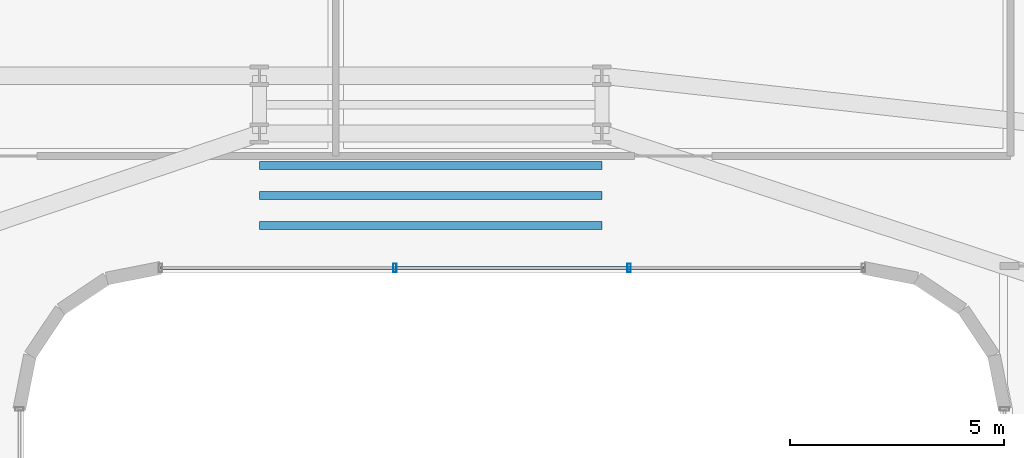
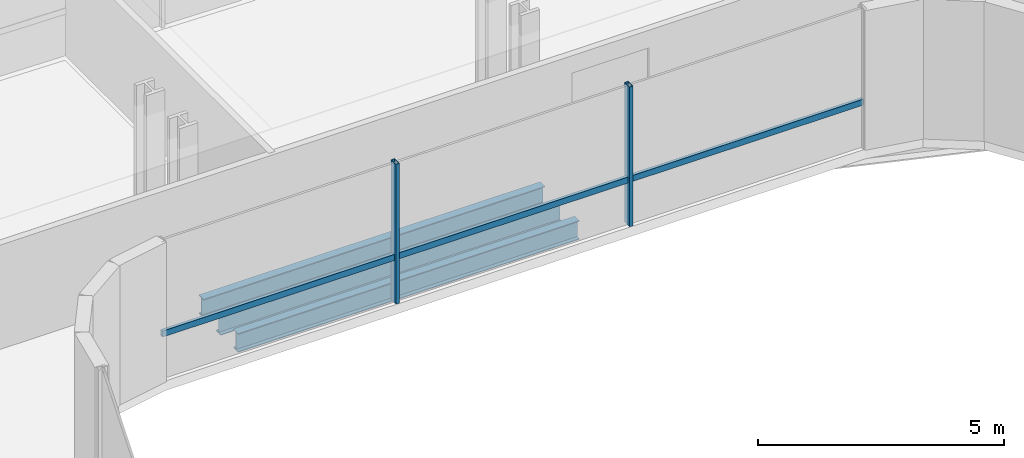
# One storey, part 15 of 40: 3 beams, 3 members, 1 element without a shape of its own.
"""IFC4 building model written with IfcOpenShell, lengths in metres."""

import ifcopenshell
import ifcopenshell.guid

model = None  # the IFC model being written
_history = None  # IfcOwnerHistory: only IFC2X3 demands one
_inside = {}  # id of a spatial element -> (the spatial element, [elements in it])
_under = {}  # id of a project, library or spatial element -> (it, [spatial elements below it])
_declared = {}  # id of a project -> (the project, [libraries it declares])
_typed = {}  # id of a type object -> (the type object, [elements of that type])
_made_of = {}  # id of a material, layer set ... -> (it, [elements and type objects made of it])


def new_model(schema):
    """Start an empty IFC model of exactly this schema.

    Asked for "IFC4X3", IfcOpenShell would pick the latest addendum, in which some entities
    have other attributes; the version numbers below select the first issue.
    IFC2X3 requires an IfcOwnerHistory on every rooted entity: one is made here for all.
    """
    global model, _history
    if schema == "IFC4X3":
        model = ifcopenshell.file(schema_version=(4, 3, 0, 0))
    else:
        model = ifcopenshell.file(schema=schema)
    _inside.clear()
    _under.clear()
    _declared.clear()
    _typed.clear()
    _made_of.clear()
    _history = None
    if model.schema == "IFC2X3":
        org = make("IfcOrganization", Name="unknown")
        user = make(
            "IfcPersonAndOrganization",
            ThePerson=make("IfcPerson", FamilyName="unknown"),
            TheOrganization=org,
        )
        app = make(
            "IfcApplication",
            ApplicationDeveloper=org,
            Version="unknown",
            ApplicationFullName="unknown",
            ApplicationIdentifier="unknown",
        )
        _history = make(
            "IfcOwnerHistory",
            OwningUser=user,
            OwningApplication=app,
            ChangeAction="ADDED",
            CreationDate=0,
        )
    return model


def make(cls, **values):
    """One entity of the class cls with the attributes given. An attribute that is None is left unset."""
    return model.create_entity(
        cls, **{name: value for name, value in values.items() if value is not None}
    )


def rooted(cls, **values):
    """An entity with a GlobalId (a new one), such as an element, a storey or a relation."""
    return make(cls, GlobalId=ifcopenshell.guid.new(), OwnerHistory=_history, **values)


def si_unit(unit_type, name, prefix=None):
    """IfcSIUnit, for example si_unit("LENGTHUNIT", "METRE", prefix="MILLI")."""
    return make("IfcSIUnit", UnitType=unit_type, Prefix=prefix, Name=name)


def assignment(units):
    """IfcUnitAssignment: the units of a project."""
    return None if units is None else make("IfcUnitAssignment", Units=units)


def point(xyz):
    """IfcCartesianPoint."""
    return None if xyz is None else make("IfcCartesianPoint", Coordinates=xyz)


def direction(xyz):
    """IfcDirection."""
    return None if xyz is None else make("IfcDirection", DirectionRatios=xyz)


def frame(location, z_axis=None, x_axis=None):
    """IfcAxis2Placement3D, a coordinate frame: its origin and axes. An axis left out is left unset."""
    return make(
        "IfcAxis2Placement3D",
        Location=point(location),
        Axis=direction(z_axis),
        RefDirection=direction(x_axis),
    )


def frame_2d(location, x_axis=None):
    """IfcAxis2Placement2D, a coordinate frame in the plane: its origin and x axis."""
    return make(
        "IfcAxis2Placement2D", Location=point(location), RefDirection=direction(x_axis)
    )


def origin():
    """The frame at (0, 0, 0) with its axes left unset."""
    return frame((0.0, 0.0, 0.0))


def origin_2d():
    """The frame at (0, 0) in the plane with its x axis left unset."""
    return frame_2d((0.0, 0.0))


def place(relative_to, where):
    """IfcLocalPlacement: puts the frame where relative to a parent placement (None: the world)."""
    return make(
        "IfcLocalPlacement", PlacementRelTo=relative_to, RelativePlacement=where
    )


def context(
    kind, dimensions, precision=None, world=None, true_north=None, identifier=None
):
    """IfcGeometricRepresentationContext, for example the 3D "Model" context."""
    return make(
        "IfcGeometricRepresentationContext",
        ContextIdentifier=identifier,
        ContextType=kind,
        CoordinateSpaceDimension=dimensions,
        Precision=precision,
        WorldCoordinateSystem=world,
        TrueNorth=true_north,
    )


def subcontext(parent, identifier, kind, view, scale=None):
    """IfcGeometricRepresentationSubContext, for example "Body" below "Model"."""
    return make(
        "IfcGeometricRepresentationSubContext",
        ContextIdentifier=identifier,
        ContextType=kind,
        ParentContext=parent,
        TargetScale=scale,
        TargetView=view,
    )


def project(units=None, contexts=None):
    """IfcProject with its units and contexts."""
    return rooted(
        "IfcProject",
        Name="project",
        RepresentationContexts=contexts,
        UnitsInContext=assignment(units),
    )


def spatial(cls, under=None, at=None, **own):
    """A site, building, storey or space (cls), placed at a placement, below another one or the project."""
    s = rooted(cls, ObjectPlacement=at, **own)
    if under is not None:
        _under.setdefault(under.id(), (under, []))[1].append(s)
    return s


def profile(cls, at=None, kind="AREA", **sizes):
    """A parametric profile (cls). Its sizes go by their IFC names, for example OverallWidth=200.0."""
    return make(cls, ProfileType=kind, Position=at, **sizes)


def hollow_rectangle(**sizes):
    """IfcRectangleHollowProfileDef."""
    return profile("IfcRectangleHollowProfileDef", **sizes)


def i_section(**sizes):
    """IfcIShapeProfileDef."""
    return profile("IfcIShapeProfileDef", **sizes)


def extrude(swept, where, along, depth):
    """IfcExtrudedAreaSolid: the profile swept, set in the frame where, extruded along a direction by depth."""
    return make(
        "IfcExtrudedAreaSolid",
        SweptArea=swept,
        Position=where,
        ExtrudedDirection=direction(along),
        Depth=depth,
    )


def shape(context_of_items, identifier, shape_type, items):
    """IfcShapeRepresentation: the items that make up one representation, for example the "Body"."""
    return make(
        "IfcShapeRepresentation",
        ContextOfItems=context_of_items,
        RepresentationIdentifier=identifier,
        RepresentationType=shape_type,
        Items=items,
    )


def source(mapping_origin, context_of_items, identifier, shape_type, items):
    """IfcRepresentationMap: a shape defined once, which mapped items show again and again."""
    return make(
        "IfcRepresentationMap",
        MappingOrigin=mapping_origin,
        MappedRepresentation=shape(context_of_items, identifier, shape_type, items),
    )


def transform(
    local_origin,
    x_axis=None,
    y_axis=None,
    z_axis=None,
    scale=None,
    scale2=None,
    scale3=None,
    uniform=True,
):
    """IfcCartesianTransformationOperator3D, or its non-uniform kind. x_axis, y_axis, z_axis: its Axis1, 2, 3."""
    if uniform:
        return make(
            "IfcCartesianTransformationOperator3D",
            Axis1=direction(x_axis),
            Axis2=direction(y_axis),
            LocalOrigin=point(local_origin),
            Scale=scale,
            Axis3=direction(z_axis),
        )
    return make(
        "IfcCartesianTransformationOperator3DnonUniform",
        Axis1=direction(x_axis),
        Axis2=direction(y_axis),
        LocalOrigin=point(local_origin),
        Scale=scale,
        Axis3=direction(z_axis),
        Scale2=scale2,
        Scale3=scale3,
    )


def mapped(mapping_source, mapping_target):
    """IfcMappedItem: shows the shape of a source again, moved by a transform."""
    return make(
        "IfcMappedItem", MappingSource=mapping_source, MappingTarget=mapping_target
    )


def material(Name=None, Category=None):
    """IfcMaterial."""
    return make("IfcMaterial", Name=Name, Category=Category)


def material_profile(
    of_material, cross_section, Name=None, Category=None, Priority=None
):
    """IfcMaterialProfile: a cross section and its material."""
    return make(
        "IfcMaterialProfile",
        Name=Name,
        Material=of_material,
        Profile=cross_section,
        Priority=Priority,
        Category=Category,
    )


def profile_set(profiles, Name=None, composite=None):
    """IfcMaterialProfileSet."""
    return make(
        "IfcMaterialProfileSet",
        Name=Name,
        MaterialProfiles=profiles,
        CompositeProfile=composite,
    )


def made_of(thing, what):
    """Note that an element or type object is made of a material, layer set ...; save() writes the relation."""
    if what is not None:
        _made_of.setdefault(what.id(), (what, []))[1].append(thing)
    return thing


def type_object(cls, material=None, **own):
    """A type object (cls), such as IfcWallType, which elements share."""
    return made_of(rooted(cls, **own), material)


def element(
    cls,
    number,
    at=None,
    inside=None,
    cuts=None,
    type_object=None,
    material=None,
    context=None,
    identifier="Body",
    shape_type=None,
    held_by="IfcProductDefinitionShape",
    body=None,
    shapes=None,
    **own,
):
    """One element of the class cls, such as IfcWall. Its Tag is "e" and its number.

    at: its placement. inside: the storey or other place that contains it. cuts: it is an
    opening in that element (IfcRelVoidsElement). A single representation is given by context,
    identifier, shape_type and body (its items); several are given by shapes. held_by: the class
    of the entity that holds the representations. save() writes the other relations.
    """
    e = rooted(cls, Tag="e%d" % number, ObjectPlacement=at, **own)
    if body is not None:
        shapes = [shape(context, identifier, shape_type, body)]
    if shapes is not None:
        e.Representation = make(held_by, Representations=shapes)
    if inside is not None:
        _inside.setdefault(inside.id(), (inside, []))[1].append(e)
    if cuts is not None:
        rooted(
            "IfcRelVoidsElement", RelatingBuildingElement=cuts, RelatedOpeningElement=e
        )
    if type_object is not None:
        _typed.setdefault(type_object.id(), (type_object, []))[1].append(e)
    return made_of(e, material)


def aggregate(whole, parts):
    """IfcRelAggregates: a whole, such as a stair, and the parts it consists of."""
    return rooted("IfcRelAggregates", RelatingObject=whole, RelatedObjects=parts)


def save(model, path):
    """Write the relations noted so far, then the file.

    IfcRelAggregates (storeys below a building ...), IfcRelContainedInSpatialStructure (elements
    in a storey), IfcRelDefinesByType, IfcRelAssociatesMaterial and IfcRelDeclares: one each for
    every whole, place, type object, material and project.
    """
    for whole, parts in _under.values():
        aggregate(whole, parts)
    for where, things in _inside.values():
        rooted(
            "IfcRelContainedInSpatialStructure",
            RelatedElements=things,
            RelatingStructure=where,
        )
    for kind, things in _typed.values():
        rooted("IfcRelDefinesByType", RelatedObjects=things, RelatingType=kind)
    for what, things in _made_of.values():
        rooted("IfcRelAssociatesMaterial", RelatedObjects=things, RelatingMaterial=what)
    for by, libraries in _declared.values():
        rooted("IfcRelDeclares", RelatingContext=by, RelatedDefinitions=libraries)
    model.write(path)


model = new_model("IFC4")

# Units and contexts
model_context = context("Model", 3, precision=1e-05, world=origin(), true_north=direction((0.0, 1.0)))
body_context = subcontext(model_context, "Body", "Model", "MODEL_VIEW")
ifc_project = project(units=[si_unit("LENGTHUNIT", "METRE"), si_unit("AREAUNIT", "SQUARE_METRE"), si_unit("VOLUMEUNIT", "CUBIC_METRE"), si_unit("PLANEANGLEUNIT", "RADIAN"), si_unit("MASSUNIT", "GRAM", prefix="KILO")], contexts=[model_context])

# Site, building, storey
site_placement = place(None, origin())
site = spatial("IfcSite", under=ifc_project, at=site_placement, CompositionType="ELEMENT")
building_placement = place(site_placement, origin())
building = spatial("IfcBuilding", under=site, at=building_placement, Name="Valdorenza Pilgrim Sanctuary Tower", CompositionType="ELEMENT")
storey_placement = place(building_placement, frame((0.0, 0.0, 66.699951171875)))
storey = spatial("IfcBuildingStorey", under=building, at=storey_placement, Name="L16", CompositionType="ELEMENT", Elevation=66.699951171875)

# Beams
ifc_material_1 = material(Name="Steel ASTM A992 Grade 50", Category="steel")
ifc_material_profile_1 = material_profile(ifc_material_1, i_section(OverallWidth=0.193115234375, OverallDepth=0.466064453125, WebThickness=0.011474609375, FlangeThickness=0.01904296875, at=origin_2d()), Name="W18X65")
ifc_profile_set_1 = profile_set([ifc_material_profile_1], Name="Steel ASTM A992 Grade 50")
beam_type = type_object("IfcBeamType", Name="STR-BM-JST-W18A", PredefinedType="JOIST", material=ifc_profile_set_1)
shared_shape_1 = source(origin(), body_context, "Body", "SweptSolid", [
    extrude(i_section(OverallWidth=0.193115234375, OverallDepth=0.466064453125, WebThickness=0.011474609375, FlangeThickness=0.01904296875, at=origin_2d()), origin(), (0.0, 0.0, 1.0), 8.0),
])
for number, where, z_axis, x_axis, name in (
    (1, (-4.0, 11.300048828125, -0.472900390625), (1.0, 0.0, 0.0), (0.0, 1.0, 0.0), "L16 Knuckle Composite Joist JST-KNK-1"),
    (2, (-4.0, 12.0, -0.472900390625), (1.0, 0.0, 0.0), (0.0, 1.0, 0.0), "L16 Knuckle Composite Joist JST-KNK-2"),
    (3, (-4.0, 12.699951171875, -0.472900390625), (1.0, 0.0, 0.0), (0.0, 1.0, 0.0), "L16 Knuckle Composite Joist JST-KNK-3"),
):
    element("IfcBeam", number, at=place(storey_placement, frame(where, z_axis=z_axis, x_axis=x_axis)), inside=storey, type_object=beam_type, Name=name, PredefinedType="JOIST", context=body_context, shape_type="MappedRepresentation", body=[
        mapped(shared_shape_1, transform((0.0, 0.0, 0.0), x_axis=(1.0, 0.0, 0.0), y_axis=(0.0, 1.0, 0.0), z_axis=(0.0, 0.0, 1.0), scale=1.0)),
    ])

# Curtain wall, members
ifc_material_2 = material(Name="Curtain-wall IGU glazing", Category="glass")
curtain_wall_type = type_object("IfcCurtainWallType", Name="CW-SYS-02", PredefinedType="NOTDEFINED", material=ifc_material_2)
curtain_wall_placement = place(storey_placement, origin())
curtain_wall = element("IfcCurtainWall", 4, at=curtain_wall_placement, inside=storey, type_object=curtain_wall_type, Name="L16 Curtain Wall CW-L16-1-36", PredefinedType="NOTDEFINED")
ifc_material_3 = material(Name="Anodised aluminium AW-6060", Category="aluminium")
ifc_material_profile_2 = material_profile(ifc_material_3, hollow_rectangle(XDim=0.0849609375, YDim=0.199951171875, WallThickness=0.0048828125, at=origin_2d()), Name="ALU-M 200x85x5")
ifc_profile_set_2 = profile_set([ifc_material_profile_2], Name="Anodised aluminium AW-6060")
member_type_1 = type_object("IfcMemberType", Name="CW-MUL-02", PredefinedType="MULLION", material=ifc_profile_set_2)
shared_shape_2 = source(origin(), body_context, "Body", "SweptSolid", [
    extrude(hollow_rectangle(XDim=0.0849609375, YDim=0.199951171875, WallThickness=0.0048828125, at=origin_2d()), origin(), (0.0, 0.0, 1.0), 3.4599609375),
])
member_1_placement = place(storey_placement, frame((4.636962890625, 10.31005859375, 0.0), z_axis=(0.0, 0.0, 1.0), x_axis=(-1.0, 0.0, 0.0)))
member_1 = element("IfcMember", 5, at=member_1_placement, type_object=member_type_1, Name="CW-L16-1-36 Mullion 2", PredefinedType="MULLION", context=body_context, shape_type="MappedRepresentation", body=[
    mapped(shared_shape_2, transform((0.0, 0.0, 0.0), x_axis=(1.0, 0.0, 0.0), y_axis=(0.0, 1.0, 0.0), z_axis=(0.0, 0.0, 1.0), scale=1.0)),
])
member_2_placement = place(storey_placement, frame((-0.8369140625, 10.31005859375, 0.0), z_axis=(0.0, 0.0, 1.0), x_axis=(-1.0, 0.0, 0.0)))
member_2 = element("IfcMember", 6, at=member_2_placement, type_object=member_type_1, Name="CW-L16-1-36 Mullion 3", PredefinedType="MULLION", context=body_context, shape_type="MappedRepresentation", body=[
    mapped(shared_shape_2, transform((0.0, 0.0, 0.0), x_axis=(1.0, 0.0, 0.0), y_axis=(0.0, 1.0, 0.0), z_axis=(0.0, 0.0, 1.0), scale=1.0)),
])
ifc_material_profile_3 = material_profile(ifc_material_3, hollow_rectangle(XDim=0.074951171875, YDim=0.14990234375, WallThickness=0.00390625, at=origin_2d()), Name="ALU-T 150x75x4")
ifc_profile_set_3 = profile_set([ifc_material_profile_3], Name="Anodised aluminium AW-6060")
member_type_2 = type_object("IfcMemberType", Name="CW-TRN-02", PredefinedType="USERDEFINED", material=ifc_profile_set_3)
shared_shape_3 = source(origin(), body_context, "Body", "SweptSolid", [
    extrude(hollow_rectangle(XDim=0.074951171875, YDim=0.14990234375, WallThickness=0.00390625, at=origin_2d()), origin(), (0.0, 0.0, 1.0), 16.421630859375),
])
member_3_placement = place(storey_placement, frame((10.11083984375, 10.31005859375, 1.1201171875), z_axis=(-1.0, 0.0, 0.0), x_axis=(0.0, -1.0, 0.0)))
member_3 = element("IfcMember", 7, at=member_3_placement, type_object=member_type_2, Name="CW-L16-1-36 Transom 1", ObjectType="TRANSOM", PredefinedType="USERDEFINED", context=body_context, shape_type="MappedRepresentation", body=[
    mapped(shared_shape_3, transform((0.0, 0.0, 0.0), x_axis=(1.0, 0.0, 0.0), y_axis=(0.0, 1.0, 0.0), z_axis=(0.0, 0.0, 1.0), scale=1.0)),
])
aggregate(curtain_wall, [member_1, member_2, member_3])

save(model, "model.ifc")
